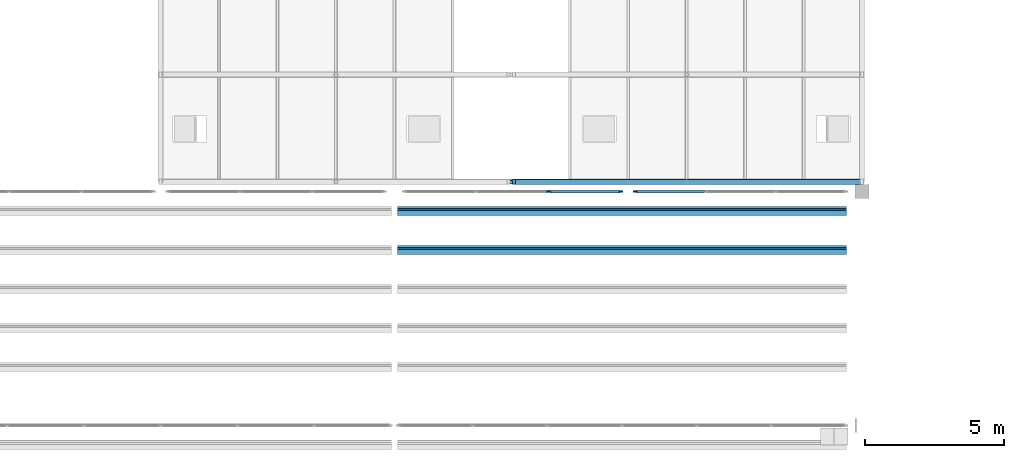
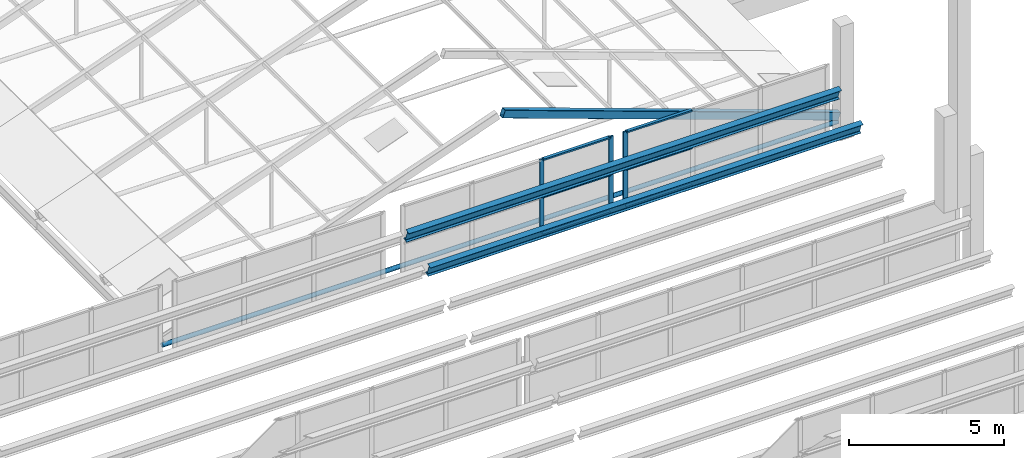
# One storey, part 27 of 116: 13 members, 2 elements without a shape of their own.
"""IFC4 building model written with IfcOpenShell, lengths in metres."""

from ifc_helpers import new_model, si_unit, direction, frame, origin, origin_2d, place, context, subcontext, project, spatial, rectangle, hollow_rectangle, hollow_circle, i_section, extrude, material, material_profile, profile_set, type_object, element, aggregate, save


model = new_model("IFC4")

# Units and contexts
model_context = context("Model", 3, precision=1e-05, world=origin(), true_north=direction((0.0, 1.0)))
body_context = subcontext(model_context, "Body", "Model", "MODEL_VIEW")
ifc_project = project(units=[si_unit("LENGTHUNIT", "METRE"), si_unit("AREAUNIT", "SQUARE_METRE"), si_unit("VOLUMEUNIT", "CUBIC_METRE"), si_unit("PLANEANGLEUNIT", "RADIAN"), si_unit("MASSUNIT", "GRAM", prefix="KILO")], contexts=[model_context])

# Site, building, storey
site_placement = place(None, origin())
site = spatial("IfcSite", under=ifc_project, at=site_placement, CompositionType="ELEMENT")
building_placement = place(site_placement, origin())
building = spatial("IfcBuilding", under=site, at=building_placement, Name="Fescue Hill Polytechnic", CompositionType="ELEMENT")
storey_placement = place(building_placement, frame((0.0, 0.0, 13.5)))
storey = spatial("IfcBuildingStorey", under=building, at=storey_placement, Name="L03", CompositionType="ELEMENT", Elevation=13.5)

# Curtain wall, members
ifc_material_1 = material(Name="Aluminium and glass", Category="aluminium")
curtain_wall_type = type_object("IfcCurtainWallType", Name="Sawtooth north glazing curtain wall", PredefinedType="NOTDEFINED", material=ifc_material_1)
curtain_wall_1_placement = place(storey_placement, origin())
curtain_wall_1 = element("IfcCurtainWall", 1, at=curtain_wall_1_placement, inside=storey, type_object=curtain_wall_type, Name="Sawtooth 4 north glazing bay 7 part 1", PredefinedType="NOTDEFINED")
ifc_material_2 = material(Name="Aluminium", Category="aluminium")
ifc_material_profile_1 = material_profile(ifc_material_2, rectangle(XDim=0.06005859375, YDim=0.159912109375, at=origin_2d()), Name="Curtain wall mullion 60x160")
ifc_profile_set_1 = profile_set([ifc_material_profile_1], Name="Aluminium")
member_type_1 = type_object("IfcMemberType", Name="Curtain wall mullion 60x160", PredefinedType="MULLION", material=ifc_profile_set_1)
member_1_placement = place(storey_placement, frame((106.353271484375, 50.39990234375, 0.0), z_axis=(0.0, 0.0, 1.0), x_axis=(0.0, 1.0, 0.0)))
member_1 = element("IfcMember", 2, at=member_1_placement, type_object=member_type_1, Name="CW34 mullion 3", PredefinedType="MULLION", context=body_context, shape_type="SweptSolid", body=[
    extrude(rectangle(XDim=0.06005859375, YDim=0.159912109375, at=origin_2d()), origin(), (0.0, 0.0, 1.0), 3.0),
])
member_2_placement = place(storey_placement, frame((108.929931640625, 50.39990234375, 0.0), z_axis=(0.0, 0.0, 1.0), x_axis=(0.0, 1.0, 0.0)))
member_2 = element("IfcMember", 3, at=member_2_placement, type_object=member_type_1, Name="CW34 mullion 4", PredefinedType="MULLION", context=body_context, shape_type="SweptSolid", body=[
    extrude(rectangle(XDim=0.06005859375, YDim=0.159912109375, at=origin_2d()), origin(), (0.0, 0.0, 1.0), 3.0),
])

# Curtain wall, member
curtain_wall_2_placement = place(storey_placement, origin())
curtain_wall_2 = element("IfcCurtainWall", 4, at=curtain_wall_2_placement, inside=storey, type_object=curtain_wall_type, Name="Sawtooth 4 north glazing bay 7 part 2", PredefinedType="NOTDEFINED")
member_3_placement = place(storey_placement, frame((109.469970703125, 50.39990234375, 0.0), z_axis=(0.0, 0.0, 1.0), x_axis=(0.0, 1.0, 0.0)))
member_3 = element("IfcMember", 5, at=member_3_placement, type_object=member_type_1, Name="CW35 mullion 1", PredefinedType="MULLION", context=body_context, shape_type="SweptSolid", body=[
    extrude(rectangle(XDim=0.06005859375, YDim=0.159912109375, at=origin_2d()), origin(), (0.0, 0.0, 1.0), 3.0),
])

# Member
ifc_material_profile_2 = material_profile(ifc_material_2, rectangle(XDim=0.1201171875, YDim=0.06005859375, at=origin_2d()), Name="Curtain wall transom 60x120")
ifc_profile_set_2 = profile_set([ifc_material_profile_2], Name="Aluminium")
member_type_2 = type_object("IfcMemberType", Name="Curtain wall transom 60x120", PredefinedType="USERDEFINED", material=ifc_profile_set_2)
member_4_placement = place(storey_placement, frame((106.38330078125, 50.39990234375, 0.030029296875), z_axis=(1.0, 0.0, 0.0), x_axis=(0.0, 1.0, 0.0)))
member_4 = element("IfcMember", 6, at=member_4_placement, type_object=member_type_2, Name="CW34 transom 3.1", ObjectType="TRANSOM", PredefinedType="USERDEFINED", context=body_context, shape_type="SweptSolid", body=[
    extrude(rectangle(XDim=0.1201171875, YDim=0.06005859375, at=origin_2d()), origin(), (0.0, 0.0, 1.0), 2.5166015625),
])

member_5_placement = place(storey_placement, frame((106.38330078125, 50.39990234375, 1.5), z_axis=(1.0, 0.0, 0.0), x_axis=(0.0, 1.0, 0.0)))
member_5 = element("IfcMember", 7, at=member_5_placement, type_object=member_type_2, Name="CW34 transom 3.2", ObjectType="TRANSOM", PredefinedType="USERDEFINED", context=body_context, shape_type="SweptSolid", body=[
    extrude(rectangle(XDim=0.1201171875, YDim=0.06005859375, at=origin_2d()), origin(), (0.0, 0.0, 1.0), 2.5166015625),
])

member_6_placement = place(storey_placement, frame((106.38330078125, 50.39990234375, 2.969970703125), z_axis=(1.0, 0.0, 0.0), x_axis=(0.0, 1.0, 0.0)))
member_6 = element("IfcMember", 8, at=member_6_placement, type_object=member_type_2, Name="CW34 transom 3.3", ObjectType="TRANSOM", PredefinedType="USERDEFINED", context=body_context, shape_type="SweptSolid", body=[
    extrude(rectangle(XDim=0.1201171875, YDim=0.06005859375, at=origin_2d()), origin(), (0.0, 0.0, 1.0), 2.5166015625),
])

aggregate(curtain_wall_1, [member_1, member_2, member_4, member_5, member_6])

member_7_placement = place(storey_placement, frame((109.5, 50.39990234375, 0.030029296875), z_axis=(1.0, 0.0, 0.0), x_axis=(0.0, 1.0, 0.0)))
member_7 = element("IfcMember", 9, at=member_7_placement, type_object=member_type_2, Name="CW35 transom 1.1", ObjectType="TRANSOM", PredefinedType="USERDEFINED", context=body_context, shape_type="SweptSolid", body=[
    extrude(rectangle(XDim=0.1201171875, YDim=0.06005859375, at=origin_2d()), origin(), (0.0, 0.0, 1.0), 2.43994140625),
])

member_8_placement = place(storey_placement, frame((109.5, 50.39990234375, 1.5), z_axis=(1.0, 0.0, 0.0), x_axis=(0.0, 1.0, 0.0)))
member_8 = element("IfcMember", 10, at=member_8_placement, type_object=member_type_2, Name="CW35 transom 1.2", ObjectType="TRANSOM", PredefinedType="USERDEFINED", context=body_context, shape_type="SweptSolid", body=[
    extrude(rectangle(XDim=0.1201171875, YDim=0.06005859375, at=origin_2d()), origin(), (0.0, 0.0, 1.0), 2.43994140625),
])

member_9_placement = place(storey_placement, frame((109.5, 50.39990234375, 2.969970703125), z_axis=(1.0, 0.0, 0.0), x_axis=(0.0, 1.0, 0.0)))
member_9 = element("IfcMember", 11, at=member_9_placement, type_object=member_type_2, Name="CW35 transom 1.3", ObjectType="TRANSOM", PredefinedType="USERDEFINED", context=body_context, shape_type="SweptSolid", body=[
    extrude(rectangle(XDim=0.1201171875, YDim=0.06005859375, at=origin_2d()), origin(), (0.0, 0.0, 1.0), 2.43994140625),
])

aggregate(curtain_wall_2, [member_3, member_7, member_8, member_9])

# Members
ifc_material_3 = material(Name="Steel 350W (350 MPa)", Category="steel")
ifc_material_profile_3 = material_profile(ifc_material_3, i_section(OverallWidth=0.18994140625, OverallDepth=0.45703125, WebThickness=0.009033203125, FlangeThickness=0.014404296875, FilletRadius=0.0166015625, at=origin_2d()), Name="W460x74")
ifc_profile_set_3 = profile_set([ifc_material_profile_3], Name="Steel 350W (350 MPa)")
member_type_3 = type_object("IfcMemberType", Name="Tooth purlin W460x74", PredefinedType="PURLIN", material=ifc_profile_set_3)
member_10_placement = place(storey_placement, frame((100.904541015625, 48.300048828125, 1.794921875), z_axis=(1.0, 0.0, 0.0), x_axis=(0.0, 0.941741911595, 0.336336396997)))
element("IfcMember", 12, at=member_10_placement, inside=storey, type_object=member_type_3, Name="Tooth 4 purlin 5 bay 7", PredefinedType="PURLIN", context=body_context, shape_type="SweptSolid", body=[
    extrude(i_section(OverallWidth=0.18994140625, OverallDepth=0.45703125, WebThickness=0.009033203125, FlangeThickness=0.014404296875, FilletRadius=0.0166015625, at=origin_2d()), origin(), (0.0, 0.0, 1.0), 16.140869140625),
])
ifc_material_profile_4 = material_profile(ifc_material_3, i_section(OverallWidth=0.193115234375, OverallDepth=0.466064453125, WebThickness=0.011474609375, FlangeThickness=0.01904296875, FilletRadius=0.01708984375, at=origin_2d()), Name="W460x97")
ifc_profile_set_4 = profile_set([ifc_material_profile_4], Name="Steel 350W (350 MPa)")
member_type_4 = type_object("IfcMemberType", Name="Tooth ridge purlin W460x97", PredefinedType="PURLIN", material=ifc_profile_set_4)
member_11_placement = place(storey_placement, frame((100.904541015625, 49.699951171875, 2.290283203125), z_axis=(1.0, 0.0, 0.0), x_axis=(0.0, 0.941741911595, 0.336336396997)))
element("IfcMember", 13, at=member_11_placement, inside=storey, type_object=member_type_4, Name="Tooth 4 ridge purlin bay 7", PredefinedType="PURLIN", context=body_context, shape_type="SweptSolid", body=[
    extrude(i_section(OverallWidth=0.193115234375, OverallDepth=0.466064453125, WebThickness=0.011474609375, FlangeThickness=0.01904296875, FilletRadius=0.01708984375, at=origin_2d()), origin(), (0.0, 0.0, 1.0), 16.140869140625),
])
ifc_material_profile_5 = material_profile(ifc_material_3, hollow_rectangle(XDim=0.203125, YDim=0.3046875, WallThickness=0.009521484375, InnerFilletRadius=0.009521484375, OuterFilletRadius=0.01904296875, at=origin_2d()), Name="Winter garden rafter HSS 305x203x9.5")
ifc_profile_set_5 = profile_set([ifc_material_profile_5], Name="Steel 350W (350 MPa)")
member_type_5 = type_object("IfcMemberType", Name="Winter garden rafter HSS 305x203x9.5", PredefinedType="RAFTER", material=ifc_profile_set_5)
member_12_placement = place(storey_placement, frame((117.60009765625, 50.75, 0.578857421875), z_axis=(-0.941740247025, 0.0, 0.336341057756), x_axis=(0.0, -1.0, 0.0)))
element("IfcMember", 14, at=member_12_placement, inside=storey, type_object=member_type_5, Name="Winter garden rafter E1", PredefinedType="RAFTER", context=body_context, shape_type="SweptSolid", body=[
    extrude(hollow_rectangle(XDim=0.203125, YDim=0.3046875, WallThickness=0.009521484375, InnerFilletRadius=0.009521484375, OuterFilletRadius=0.01904296875, at=origin_2d()), origin(), (0.0, 0.0, 1.0), 13.273193359375),
])
ifc_material_profile_6 = material_profile(ifc_material_3, hollow_circle(Radius=0.084228515625, WallThickness=0.009521484375, at=origin_2d()), Name="Winter garden tie CHS 168x9.5")
ifc_profile_set_6 = profile_set([ifc_material_profile_6], Name="Steel 350W (350 MPa)")
member_type_6 = type_object("IfcMemberType", Name="Winter garden tie CHS 168x9.5", PredefinedType="STRUT", material=ifc_profile_set_6)
member_13_placement = place(storey_placement, frame((92.39990234375, 50.75, 0.332763671875), z_axis=(1.0, 0.0, 0.0), x_axis=(0.0, 1.0, 0.0)))
element("IfcMember", 15, at=member_13_placement, inside=storey, type_object=member_type_6, Name="Winter garden tie 1", PredefinedType="STRUT", context=body_context, shape_type="SweptSolid", body=[
    extrude(hollow_circle(Radius=0.084228515625, WallThickness=0.009521484375, at=origin_2d()), origin(), (0.0, 0.0, 1.0), 25.2001953125),
])

save(model, "model.ifc")
